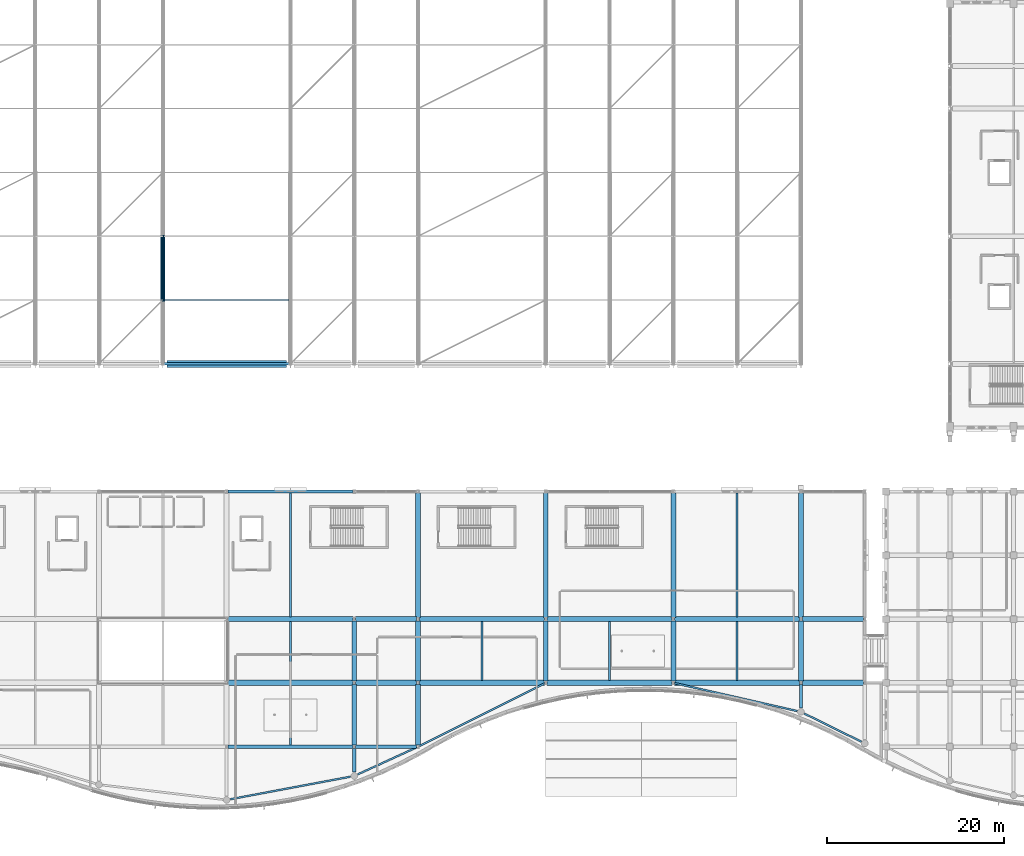
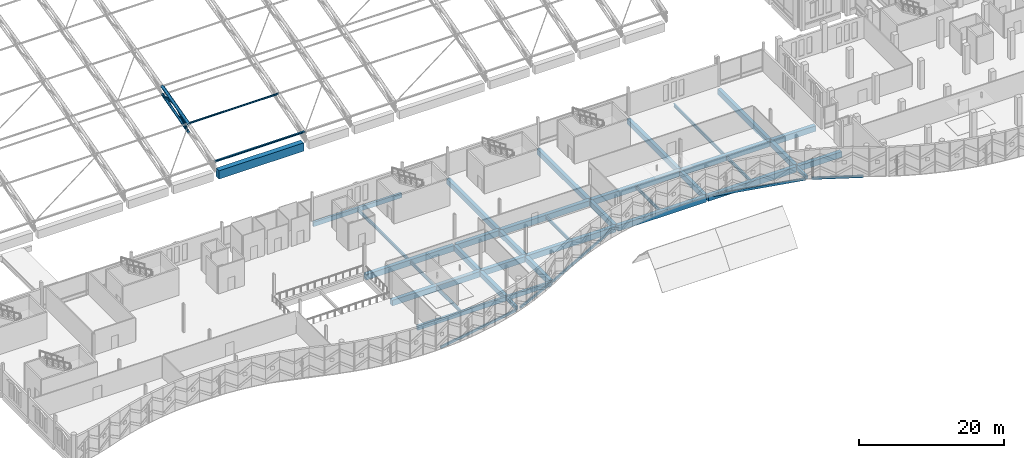
# One storey, part 29 of 193: 41 beams, 6 members.
"""IFC4 building model written with IfcOpenShell, lengths in metres."""

from ifc_helpers import new_model, si_unit, direction, frame, origin, origin_2d, place, context, subcontext, project, spatial, rectangle, hollow_rectangle, hollow_circle, i_section, extrude, material, material_profile, profile_set, type_object, element, save


model = new_model("IFC4")

# Units and contexts
model_context = context("Model", 3, precision=1e-05, world=origin(), true_north=direction((0.0, 1.0)))
body_context = subcontext(model_context, "Body", "Model", "MODEL_VIEW")
ifc_project = project(units=[si_unit("LENGTHUNIT", "METRE"), si_unit("AREAUNIT", "SQUARE_METRE"), si_unit("VOLUMEUNIT", "CUBIC_METRE"), si_unit("PLANEANGLEUNIT", "RADIAN"), si_unit("MASSUNIT", "GRAM", prefix="KILO")], contexts=[model_context])

# Site, building, storey
site_placement = place(None, origin())
site = spatial("IfcSite", under=ifc_project, at=site_placement, CompositionType="ELEMENT")
building_placement = place(site_placement, origin())
building = spatial("IfcBuilding", under=site, at=building_placement, Name="Cendralis Lancet Convention Centre", CompositionType="ELEMENT")
storey_placement = place(building_placement, frame((0.0, 0.0, 10.199951171875)))
storey = spatial("IfcBuildingStorey", under=building, at=storey_placement, Name="L02", CompositionType="ELEMENT", Elevation=10.199951171875)

# Beams
ifc_material_1 = material(Name="Concrete G40 (C40/50)", Category="concrete")
ifc_material_profile_1 = material_profile(ifc_material_1, rectangle(XDim=0.60009765625, YDim=0.949951171875, at=origin_2d()), Name="RCB 600x950")
ifc_profile_set_1 = profile_set([ifc_material_profile_1], Name="Concrete G40 (C40/50)")
beam_type_1 = type_object("IfcBeamType", Name="STR-BM-BG04", PredefinedType="BEAM", material=ifc_profile_set_1)
beam_1_placement = place(storey_placement, frame((57.75, 14.39990234375, -0.77490234375), z_axis=(1.0, 0.0, 0.0), x_axis=(0.0, 1.0, 0.0)))
element("IfcBeam", 1, at=beam_1_placement, inside=storey, type_object=beam_type_1, Name="L02 Beam BG04 #0826", PredefinedType="BEAM", context=body_context, shape_type="SweptSolid", body=[
    extrude(rectangle(XDim=0.60009765625, YDim=0.949951171875, at=origin_2d()), origin(), (0.0, 0.0, 1.0), 14.10009765625),
])
beam_2_placement = place(storey_placement, frame((72.14990234375, 14.39990234375, -0.77490234375), z_axis=(1.0, 0.0, 0.0), x_axis=(0.0, 1.0, 0.0)))
element("IfcBeam", 2, at=beam_2_placement, inside=storey, type_object=beam_type_1, Name="L02 Beam BG04 #0827", PredefinedType="BEAM", context=body_context, shape_type="SweptSolid", body=[
    extrude(rectangle(XDim=0.60009765625, YDim=0.949951171875, at=origin_2d()), origin(), (0.0, 0.0, 1.0), 6.900146484375),
])
beam_3_placement = place(storey_placement, frame((79.35009765625, 14.39990234375, -0.77490234375), z_axis=(1.0, 0.0, 0.0), x_axis=(0.0, 1.0, 0.0)))
element("IfcBeam", 3, at=beam_3_placement, inside=storey, type_object=beam_type_1, Name="L02 Beam BG04 #0828", PredefinedType="BEAM", context=body_context, shape_type="SweptSolid", body=[
    extrude(rectangle(XDim=0.60009765625, YDim=0.949951171875, at=origin_2d()), origin(), (0.0, 0.0, 1.0), 14.099853515625),
])
for number, where, z_axis, x_axis, name in (
    (4, (93.75, 14.39990234375, -0.77490234375), (1.0, 0.0, 0.0), (0.0, 1.0, 0.0), "L02 Beam BG04 #0829"),
    (5, (108.14990234375, 14.39990234375, -0.77490234375), (1.0, 0.0, 0.0), (0.0, 1.0, 0.0), "L02 Beam BG04 #0830"),
):
    element("IfcBeam", number, at=place(storey_placement, frame(where, z_axis=z_axis, x_axis=x_axis)), inside=storey, type_object=beam_type_1, Name=name, PredefinedType="BEAM", context=body_context, shape_type="SweptSolid", body=[
        extrude(rectangle(XDim=0.60009765625, YDim=0.949951171875, at=origin_2d()), origin(), (0.0, 0.0, 1.0), 14.10009765625),
    ])
beam_4_placement = place(storey_placement, frame((122.550048828125, 14.39990234375, -0.77490234375), z_axis=(1.0, 0.0, 0.0), x_axis=(0.0, 1.0, 0.0)))
element("IfcBeam", 6, at=beam_4_placement, inside=storey, type_object=beam_type_1, Name="L02 Beam BG04 #0831", PredefinedType="BEAM", context=body_context, shape_type="SweptSolid", body=[
    extrude(rectangle(XDim=0.60009765625, YDim=0.949951171875, at=origin_2d()), origin(), (0.0, 0.0, 1.0), 6.89990234375),
])
beam_5_placement = place(storey_placement, frame((57.75, 21.60009765625, -0.77490234375), z_axis=(1.0, 0.0, 0.0), x_axis=(0.0, 1.0, 0.0)))
element("IfcBeam", 7, at=beam_5_placement, inside=storey, type_object=beam_type_1, Name="L02 Beam BG04 #0836", PredefinedType="BEAM", context=body_context, shape_type="SweptSolid", body=[
    extrude(rectangle(XDim=0.60009765625, YDim=0.949951171875, at=origin_2d()), origin(), (0.0, 0.0, 1.0), 14.10009765625),
])
beam_6_placement = place(storey_placement, frame((72.14990234375, 21.60009765625, -0.77490234375), z_axis=(1.0, 0.0, 0.0), x_axis=(0.0, 1.0, 0.0)))
element("IfcBeam", 8, at=beam_6_placement, inside=storey, type_object=beam_type_1, Name="L02 Beam BG04 #0837", PredefinedType="BEAM", context=body_context, shape_type="SweptSolid", body=[
    extrude(rectangle(XDim=0.60009765625, YDim=0.949951171875, at=origin_2d()), origin(), (0.0, 0.0, 1.0), 6.900146484375),
])
beam_7_placement = place(storey_placement, frame((79.35009765625, 21.60009765625, -0.77490234375), z_axis=(1.0, 0.0, 0.0), x_axis=(0.0, 1.0, 0.0)))
element("IfcBeam", 9, at=beam_7_placement, inside=storey, type_object=beam_type_1, Name="L02 Beam BG04 #0838", PredefinedType="BEAM", context=body_context, shape_type="SweptSolid", body=[
    extrude(rectangle(XDim=0.60009765625, YDim=0.949951171875, at=origin_2d()), origin(), (0.0, 0.0, 1.0), 14.099853515625),
])
for number, where, z_axis, x_axis, name in (
    (10, (93.75, 21.60009765625, -0.77490234375), (1.0, 0.0, 0.0), (0.0, 1.0, 0.0), "L02 Beam BG04 #0839"),
    (11, (108.14990234375, 21.60009765625, -0.77490234375), (1.0, 0.0, 0.0), (0.0, 1.0, 0.0), "L02 Beam BG04 #0840"),
):
    element("IfcBeam", number, at=place(storey_placement, frame(where, z_axis=z_axis, x_axis=x_axis)), inside=storey, type_object=beam_type_1, Name=name, PredefinedType="BEAM", context=body_context, shape_type="SweptSolid", body=[
        extrude(rectangle(XDim=0.60009765625, YDim=0.949951171875, at=origin_2d()), origin(), (0.0, 0.0, 1.0), 14.10009765625),
    ])
beam_8_placement = place(storey_placement, frame((122.550048828125, 21.60009765625, -0.77490234375), z_axis=(1.0, 0.0, 0.0), x_axis=(0.0, 1.0, 0.0)))
element("IfcBeam", 12, at=beam_8_placement, inside=storey, type_object=beam_type_1, Name="L02 Beam BG04 #0841", PredefinedType="BEAM", context=body_context, shape_type="SweptSolid", body=[
    extrude(rectangle(XDim=0.60009765625, YDim=0.949951171875, at=origin_2d()), origin(), (0.0, 0.0, 1.0), 6.89990234375),
])
ifc_material_profile_2 = material_profile(ifc_material_1, rectangle(XDim=0.550048828125, YDim=0.89990234375, at=origin_2d()), Name="RCB 550x900")
ifc_profile_set_2 = profile_set([ifc_material_profile_2], Name="Concrete G40 (C40/50)")
beam_type_2 = type_object("IfcBeamType", Name="STR-BM-BG06", PredefinedType="BEAM", material=ifc_profile_set_2)
beam_9_placement = place(storey_placement, frame((72.0, 7.39990234375, -0.75), z_axis=(0.0, 1.0, 0.0), x_axis=(-1.0, 0.0, 0.0)))
element("IfcBeam", 13, at=beam_9_placement, inside=storey, type_object=beam_type_2, Name="L02 Beam BG06 #0866", PredefinedType="BEAM", context=body_context, shape_type="SweptSolid", body=[
    extrude(rectangle(XDim=0.550048828125, YDim=0.89990234375, at=origin_2d()), origin(), (0.0, 0.0, 1.0), 6.800048828125),
])
beam_10_placement = place(storey_placement, frame((72.0, 14.60009765625, -0.75), z_axis=(0.0, 1.0, 0.0), x_axis=(-1.0, 0.0, 0.0)))
element("IfcBeam", 14, at=beam_10_placement, inside=storey, type_object=beam_type_2, Name="L02 Beam BG06 #0867", PredefinedType="BEAM", context=body_context, shape_type="SweptSolid", body=[
    extrude(rectangle(XDim=0.550048828125, YDim=0.89990234375, at=origin_2d()), origin(), (0.0, 0.0, 1.0), 6.7998046875),
])
beam_11_placement = place(storey_placement, frame((79.199951171875, 7.39990234375, -0.75), z_axis=(0.0, 1.0, 0.0), x_axis=(-1.0, 0.0, 0.0)))
element("IfcBeam", 15, at=beam_11_placement, inside=storey, type_object=beam_type_2, Name="L02 Beam BG06 #0868", PredefinedType="BEAM", context=body_context, shape_type="SweptSolid", body=[
    extrude(rectangle(XDim=0.550048828125, YDim=0.89990234375, at=origin_2d()), origin(), (0.0, 0.0, 1.0), 6.800048828125),
])
beam_12_placement = place(storey_placement, frame((79.199951171875, 14.60009765625, -0.75), z_axis=(0.0, 1.0, 0.0), x_axis=(-1.0, 0.0, 0.0)))
element("IfcBeam", 16, at=beam_12_placement, inside=storey, type_object=beam_type_2, Name="L02 Beam BG06 #0869", PredefinedType="BEAM", context=body_context, shape_type="SweptSolid", body=[
    extrude(rectangle(XDim=0.550048828125, YDim=0.89990234375, at=origin_2d()), origin(), (0.0, 0.0, 1.0), 6.7998046875),
])
beam_13_placement = place(storey_placement, frame((79.199951171875, 21.800048828125, -0.75), z_axis=(0.0, 1.0, 0.0), x_axis=(-1.0, 0.0, 0.0)))
element("IfcBeam", 17, at=beam_13_placement, inside=storey, type_object=beam_type_2, Name="L02 Beam BG06 #0870", PredefinedType="BEAM", context=body_context, shape_type="SweptSolid", body=[
    extrude(rectangle(XDim=0.550048828125, YDim=0.89990234375, at=origin_2d()), origin(), (0.0, 0.0, 1.0), 14.0),
])
beam_14_placement = place(storey_placement, frame((93.60009765625, 14.60009765625, -0.75), z_axis=(0.0, 1.0, 0.0), x_axis=(-1.0, 0.0, 0.0)))
element("IfcBeam", 18, at=beam_14_placement, inside=storey, type_object=beam_type_2, Name="L02 Beam BG06 #0871", PredefinedType="BEAM", context=body_context, shape_type="SweptSolid", body=[
    extrude(rectangle(XDim=0.550048828125, YDim=0.89990234375, at=origin_2d()), origin(), (0.0, 0.0, 1.0), 6.7998046875),
])
beam_15_placement = place(storey_placement, frame((93.60009765625, 21.800048828125, -0.75), z_axis=(0.0, 1.0, 0.0), x_axis=(-1.0, 0.0, 0.0)))
element("IfcBeam", 19, at=beam_15_placement, inside=storey, type_object=beam_type_2, Name="L02 Beam BG06 #0872", PredefinedType="BEAM", context=body_context, shape_type="SweptSolid", body=[
    extrude(rectangle(XDim=0.550048828125, YDim=0.89990234375, at=origin_2d()), origin(), (0.0, 0.0, 1.0), 14.0),
])
beam_16_placement = place(storey_placement, frame((108.0, 14.60009765625, -0.75), z_axis=(0.0, 1.0, 0.0), x_axis=(-1.0, 0.0, 0.0)))
element("IfcBeam", 20, at=beam_16_placement, inside=storey, type_object=beam_type_2, Name="L02 Beam BG06 #0873", PredefinedType="BEAM", context=body_context, shape_type="SweptSolid", body=[
    extrude(rectangle(XDim=0.550048828125, YDim=0.89990234375, at=origin_2d()), origin(), (0.0, 0.0, 1.0), 6.7998046875),
])
beam_17_placement = place(storey_placement, frame((108.0, 21.800048828125, -0.75), z_axis=(0.0, 1.0, 0.0), x_axis=(-1.0, 0.0, 0.0)))
element("IfcBeam", 21, at=beam_17_placement, inside=storey, type_object=beam_type_2, Name="L02 Beam BG06 #0874", PredefinedType="BEAM", context=body_context, shape_type="SweptSolid", body=[
    extrude(rectangle(XDim=0.550048828125, YDim=0.89990234375, at=origin_2d()), origin(), (0.0, 0.0, 1.0), 14.0),
])
beam_18_placement = place(storey_placement, frame((122.39990234375, 14.60009765625, -0.75), z_axis=(0.0, 1.0, 0.0), x_axis=(-1.0, 0.0, 0.0)))
element("IfcBeam", 22, at=beam_18_placement, inside=storey, type_object=beam_type_2, Name="L02 Beam BG06 #0875", PredefinedType="BEAM", context=body_context, shape_type="SweptSolid", body=[
    extrude(rectangle(XDim=0.550048828125, YDim=0.89990234375, at=origin_2d()), origin(), (0.0, 0.0, 1.0), 6.7998046875),
])
beam_19_placement = place(storey_placement, frame((122.39990234375, 21.800048828125, -0.75), z_axis=(0.0, 1.0, 0.0), x_axis=(-1.0, 0.0, 0.0)))
element("IfcBeam", 23, at=beam_19_placement, inside=storey, type_object=beam_type_2, Name="L02 Beam BG06 #0876", PredefinedType="BEAM", context=body_context, shape_type="SweptSolid", body=[
    extrude(rectangle(XDim=0.550048828125, YDim=0.89990234375, at=origin_2d()), origin(), (0.0, 0.0, 1.0), 14.0),
])
ifc_material_2 = material(Name="Concrete G35 (C35/45)", Category="concrete")
ifc_material_profile_3 = material_profile(ifc_material_2, rectangle(XDim=0.35009765625, YDim=0.60009765625, at=origin_2d()), Name="RCB 350x600")
ifc_profile_set_3 = profile_set([ifc_material_profile_3], Name="Concrete G35 (C35/45)")
beam_type_3 = type_object("IfcBeamType", Name="STR-BM-BG16", PredefinedType="BEAM", material=ifc_profile_set_3)
beam_20_placement = place(storey_placement, frame((72.0, 4.322998046875, -0.599853515625), z_axis=(0.0, 1.0, 0.0), x_axis=(-1.0, 0.0, 0.0)))
element("IfcBeam", 24, at=beam_20_placement, inside=storey, type_object=beam_type_3, Name="L02 Beam BG16 #1077", PredefinedType="BEAM", context=body_context, shape_type="SweptSolid", body=[
    extrude(rectangle(XDim=0.35009765625, YDim=0.60009765625, at=origin_2d()), origin(), (0.0, 0.0, 1.0), 2.677001953125),
])
beam_21_placement = place(storey_placement, frame((122.39990234375, 11.552001953125, -0.599853515625), z_axis=(0.0, 1.0, 0.0), x_axis=(-1.0, 0.0, 0.0)))
element("IfcBeam", 25, at=beam_21_placement, inside=storey, type_object=beam_type_3, Name="L02 Beam BG16 #1078", PredefinedType="BEAM", context=body_context, shape_type="SweptSolid", body=[
    extrude(rectangle(XDim=0.35009765625, YDim=0.60009765625, at=origin_2d()), origin(), (0.0, 0.0, 1.0), 2.64794921875),
])
ifc_material_profile_4 = material_profile(ifc_material_1, rectangle(XDim=0.800048828125, YDim=1.39990234375, at=origin_2d()), Name="RCB 800x1400")
ifc_profile_set_4 = profile_set([ifc_material_profile_4], Name="Concrete G40 (C40/50)")
beam_type_4 = type_object("IfcBeamType", Name="STR-BM-BG17", PredefinedType="BEAM", material=ifc_profile_set_4)
beam_22_placement = place(storey_placement, frame((50.85009765625, 50.39990234375, 1.5), z_axis=(1.0, 0.0, 0.0), x_axis=(0.0, 1.0, 0.0)))
element("IfcBeam", 26, at=beam_22_placement, inside=storey, type_object=beam_type_4, Name="L02 Beam BG17 #1315", PredefinedType="BEAM", context=body_context, shape_type="SweptSolid", body=[
    extrude(rectangle(XDim=0.800048828125, YDim=1.39990234375, at=origin_2d()), origin(), (0.0, 0.0, 1.0), 13.52490234375),
])
ifc_material_3 = material(Name="Steel S355", Category="steel")
ifc_material_profile_5 = material_profile(ifc_material_3, i_section(OverallWidth=0.2099609375, OverallDepth=0.550048828125, WebThickness=0.010986328125, FlangeThickness=0.01708984375, FilletRadius=0.02392578125, at=origin_2d()), Name="IPE 550")
ifc_profile_set_5 = profile_set([ifc_material_profile_5], Name="Steel S355")
beam_type_5 = type_object("IfcBeamType", Name="STR-JS-BJ05", PredefinedType="JOIST", material=ifc_profile_set_5)
beam_23_placement = place(storey_placement, frame((64.800048828125, 7.375, -0.574951171875), z_axis=(0.0, 1.0, 0.0), x_axis=(-1.0, 0.0, 0.0)))
element("IfcBeam", 27, at=beam_23_placement, inside=storey, type_object=beam_type_5, Name="L02 Beam BJ05 #0889", PredefinedType="JOIST", context=body_context, shape_type="SweptSolid", body=[
    extrude(i_section(OverallWidth=0.2099609375, OverallDepth=0.550048828125, WebThickness=0.010986328125, FlangeThickness=0.01708984375, FilletRadius=0.02392578125, at=origin_2d()), origin(), (0.0, 0.0, 1.0), 6.77490234375),
])
beam_24_placement = place(storey_placement, frame((64.800048828125, 14.64990234375, -0.574951171875), z_axis=(0.0, 1.0, 0.0), x_axis=(-1.0, 0.0, 0.0)))
element("IfcBeam", 28, at=beam_24_placement, inside=storey, type_object=beam_type_5, Name="L02 Beam BJ05 #0890", PredefinedType="JOIST", context=body_context, shape_type="SweptSolid", body=[
    extrude(i_section(OverallWidth=0.2099609375, OverallDepth=0.550048828125, WebThickness=0.010986328125, FlangeThickness=0.01708984375, FilletRadius=0.02392578125, at=origin_2d()), origin(), (0.0, 0.0, 1.0), 6.7001953125),
])
beam_25_placement = place(storey_placement, frame((64.800048828125, 21.85009765625, -0.574951171875), z_axis=(0.0, 1.0, 0.0), x_axis=(-1.0, 0.0, 0.0)))
element("IfcBeam", 29, at=beam_25_placement, inside=storey, type_object=beam_type_5, Name="L02 Beam BJ05 #0891", PredefinedType="JOIST", context=body_context, shape_type="SweptSolid", body=[
    extrude(i_section(OverallWidth=0.2099609375, OverallDepth=0.550048828125, WebThickness=0.010986328125, FlangeThickness=0.01708984375, FilletRadius=0.02392578125, at=origin_2d()), origin(), (0.0, 0.0, 1.0), 13.974853515625),
])
for number, where, z_axis, x_axis, name in (
    (30, (86.39990234375, 14.64990234375, -0.574951171875), (0.0, 1.0, 0.0), (-1.0, 0.0, 0.0), "L02 Beam BJ05 #0892"),
    (31, (100.800048828125, 14.64990234375, -0.574951171875), (0.0, 1.0, 0.0), (-1.0, 0.0, 0.0), "L02 Beam BJ05 #0893"),
    (32, (115.199951171875, 14.64990234375, -0.574951171875), (0.0, 1.0, 0.0), (-1.0, 0.0, 0.0), "L02 Beam BJ05 #0894"),
):
    element("IfcBeam", number, at=place(storey_placement, frame(where, z_axis=z_axis, x_axis=x_axis)), inside=storey, type_object=beam_type_5, Name=name, PredefinedType="JOIST", context=body_context, shape_type="SweptSolid", body=[
        extrude(i_section(OverallWidth=0.2099609375, OverallDepth=0.550048828125, WebThickness=0.010986328125, FlangeThickness=0.01708984375, FilletRadius=0.02392578125, at=origin_2d()), origin(), (0.0, 0.0, 1.0), 6.7001953125),
    ])
beam_26_placement = place(storey_placement, frame((115.199951171875, 21.85009765625, -0.574951171875), z_axis=(0.0, 1.0, 0.0), x_axis=(-1.0, 0.0, 0.0)))
element("IfcBeam", 33, at=beam_26_placement, inside=storey, type_object=beam_type_5, Name="L02 Beam BJ05 #0895", PredefinedType="JOIST", context=body_context, shape_type="SweptSolid", body=[
    extrude(i_section(OverallWidth=0.2099609375, OverallDepth=0.550048828125, WebThickness=0.010986328125, FlangeThickness=0.01708984375, FilletRadius=0.02392578125, at=origin_2d()), origin(), (0.0, 0.0, 1.0), 13.974853515625),
])

# Members
ifc_material_profile_6 = material_profile(ifc_material_3, i_section(OverallWidth=0.135009765625, OverallDepth=0.27001953125, WebThickness=0.006591796875, FlangeThickness=0.01025390625, FilletRadius=0.014892578125, at=origin_2d()), Name="IPE 270")
ifc_profile_set_6 = profile_set([ifc_material_profile_6], Name="Steel S355")
member_type_1 = type_object("IfcMemberType", Name="STR-PR-PR01", PredefinedType="PURLIN", material=ifc_profile_set_6)
member_1_placement = place(storey_placement, frame((50.39990234375, 57.60009765625, 5.771728515625), z_axis=(1.0, 0.0, 0.0), x_axis=(0.0, 1.0, 0.0)))
element("IfcMember", 34, at=member_1_placement, inside=storey, type_object=member_type_1, Name="Vault Roof Purlin PR01 V1-06-01", PredefinedType="PURLIN", context=body_context, shape_type="SweptSolid", body=[
    extrude(i_section(OverallWidth=0.135009765625, OverallDepth=0.27001953125, WebThickness=0.006591796875, FlangeThickness=0.01025390625, FilletRadius=0.014892578125, at=origin_2d()), origin(), (0.0, 0.0, 1.0), 14.400146484375),
])
ifc_material_profile_7 = material_profile(ifc_material_3, i_section(OverallWidth=0.260009765625, OverallDepth=0.25, WebThickness=0.007568359375, FlangeThickness=0.012451171875, FilletRadius=0.02392578125, at=origin_2d()), Name="HEA 260")
ifc_profile_set_7 = profile_set([ifc_material_profile_7], Name="Steel S355")
member_type_2 = type_object("IfcMemberType", Name="STR-PR-PR07", PredefinedType="PURLIN", material=ifc_profile_set_7)
member_2_placement = place(storey_placement, frame((50.39990234375, 50.39990234375, 3.72509765625), z_axis=(1.0, 0.0, 0.0), x_axis=(0.0, 1.0, 0.0)))
element("IfcMember", 35, at=member_2_placement, inside=storey, type_object=member_type_2, Name="Vault Roof Purlin PR07 V1-06-00", PredefinedType="PURLIN", context=body_context, shape_type="SweptSolid", body=[
    extrude(i_section(OverallWidth=0.260009765625, OverallDepth=0.25, WebThickness=0.007568359375, FlangeThickness=0.012451171875, FilletRadius=0.02392578125, at=origin_2d()), origin(), (0.0, 0.0, 1.0), 14.400146484375),
])

# Beams
ifc_material_profile_8 = material_profile(ifc_material_1, rectangle(XDim=0.35009765625, YDim=0.75, at=origin_2d()), Name="RCB 350x750")
ifc_profile_set_8 = profile_set([ifc_material_profile_8], Name="Concrete G40 (C40/50)")
beam_type_6 = type_object("IfcBeamType", Name="STR-SP-SP01", PredefinedType="SPANDREL", material=ifc_profile_set_8)
beam_27_placement = place(storey_placement, frame((57.75, 7.199951171875, -0.675048828125), z_axis=(1.0, 0.0, 0.0), x_axis=(0.0, 1.0, 0.0)))
element("IfcBeam", 36, at=beam_27_placement, inside=storey, type_object=beam_type_6, Name="L02 Beam SP01 #0820", PredefinedType="SPANDREL", context=body_context, shape_type="SweptSolid", body=[
    extrude(rectangle(XDim=0.35009765625, YDim=0.75, at=origin_2d()), origin(), (0.0, 0.0, 1.0), 14.10009765625),
])
beam_28_placement = place(storey_placement, frame((72.14990234375, 7.199951171875, -0.675048828125), z_axis=(1.0, 0.0, 0.0), x_axis=(0.0, 1.0, 0.0)))
element("IfcBeam", 37, at=beam_28_placement, inside=storey, type_object=beam_type_6, Name="L02 Beam SP01 #0821", PredefinedType="SPANDREL", context=body_context, shape_type="SweptSolid", body=[
    extrude(rectangle(XDim=0.35009765625, YDim=0.75, at=origin_2d()), origin(), (0.0, 0.0, 1.0), 6.900146484375),
])
beam_29_placement = place(storey_placement, frame((57.75, 36.0, -0.675048828125), z_axis=(1.0, 0.0, 0.0), x_axis=(0.0, 1.0, 0.0)))
element("IfcBeam", 38, at=beam_29_placement, inside=storey, type_object=beam_type_6, Name="L02 Beam SP01 #0846", PredefinedType="SPANDREL", context=body_context, shape_type="SweptSolid", body=[
    extrude(rectangle(XDim=0.35009765625, YDim=0.75, at=origin_2d()), origin(), (0.0, 0.0, 1.0), 14.10009765625),
])
ifc_material_profile_9 = material_profile(ifc_material_3, hollow_rectangle(XDim=0.199951171875, YDim=0.39990234375, WallThickness=0.01416015625, at=origin_2d()), Name="RHS 400x200x14.2")
ifc_profile_set_9 = profile_set([ifc_material_profile_9], Name="Steel S355")
beam_type_7 = type_object("IfcBeamType", Name="STR-SP-SP03", PredefinedType="SPANDREL", material=ifc_profile_set_9)
beam_30_placement = place(storey_placement, frame((58.017578125, 1.2734375, -0.5), z_axis=(0.98283592152, 0.184481845639, 0.0), x_axis=(-0.184481845639, 0.98283592152, 0.0)))
element("IfcBeam", 39, at=beam_30_placement, inside=storey, type_object=beam_type_7, Name="L02 Beam SP03 #1089", PredefinedType="SPANDREL", context=body_context, shape_type="SweptSolid", body=[
    extrude(hollow_rectangle(XDim=0.199951171875, YDim=0.39990234375, WallThickness=0.01416015625, at=origin_2d()), origin(), (0.0, 0.0, 1.0), 13.801513671875),
])
beam_31_placement = place(storey_placement, frame((72.38623046875, 4.0751953125, -0.5), z_axis=(0.908975113738, 0.416850383957, 0.0), x_axis=(-0.416850383957, 0.908975113738, 0.0)))
element("IfcBeam", 40, at=beam_31_placement, inside=storey, type_object=beam_type_7, Name="L02 Beam SP03 #1090", PredefinedType="SPANDREL", context=body_context, shape_type="SweptSolid", body=[
    extrude(hollow_rectangle(XDim=0.199951171875, YDim=0.39990234375, WallThickness=0.01416015625, at=origin_2d()), origin(), (0.0, 0.0, 1.0), 7.34619140625),
])
beam_32_placement = place(storey_placement, frame((79.334228515625, 7.26708984375, -0.5), z_axis=(0.894424100523, 0.4472197764, 0.0), x_axis=(-0.4472197764, 0.894424100523, 0.0)))
element("IfcBeam", 41, at=beam_32_placement, inside=storey, type_object=beam_type_7, Name="L02 Beam SP03 #1091", PredefinedType="SPANDREL", context=body_context, shape_type="SweptSolid", body=[
    extrude(hollow_rectangle(XDim=0.199951171875, YDim=0.39990234375, WallThickness=0.01416015625, at=origin_2d()), origin(), (0.0, 0.0, 1.0), 15.799560546875),
])
beam_33_placement = place(storey_placement, frame((108.146240234375, 14.36669921875, -0.5), z_axis=(0.975129814035, -0.221634486893, 0.0), x_axis=(0.221634486893, 0.975129814035, 0.0)))
element("IfcBeam", 42, at=beam_33_placement, inside=storey, type_object=beam_type_7, Name="L02 Beam SP03 #1092", PredefinedType="SPANDREL", context=body_context, shape_type="SweptSolid", body=[
    extrude(hollow_rectangle(XDim=0.199951171875, YDim=0.39990234375, WallThickness=0.01416015625, at=origin_2d()), origin(), (0.0, 0.0, 1.0), 14.1923828125),
])
beam_34_placement = place(storey_placement, frame((122.781005859375, 10.938720703125, -0.5), z_axis=(0.896714118856, -0.442610199887, 0.0), x_axis=(0.442610199887, 0.896714118856, 0.0)))
element("IfcBeam", 43, at=beam_34_placement, inside=storey, type_object=beam_type_7, Name="L02 Beam SP03 #1093", PredefinedType="SPANDREL", context=body_context, shape_type="SweptSolid", body=[
    extrude(hollow_rectangle(XDim=0.199951171875, YDim=0.39990234375, WallThickness=0.01416015625, at=origin_2d()), origin(), (0.0, 0.0, 1.0), 7.179443359375),
])

# Members
ifc_material_profile_10 = material_profile(ifc_material_3, hollow_circle(Radius=0.203125, WallThickness=0.01611328125, at=origin_2d()), Name="CHS 406.4x16.0")
ifc_profile_set_10 = profile_set([ifc_material_profile_10], Name="Steel S355")
member_type_3 = type_object("IfcMemberType", Name="STR-TR-BC01-INT", PredefinedType="CHORD", material=ifc_profile_set_10)
member_3_placement = place(storey_placement, frame((50.39990234375, 57.484130859375, 4.262451171875), z_axis=(0.0, 0.964987331955, 0.262296490953), x_axis=(-1.0, 0.0, 0.0)))
element("IfcMember", 44, at=member_3_placement, inside=storey, type_object=member_type_3, Name="ROOF TRUSS AT-V1-07 Bottom Chord 01", PredefinedType="CHORD", context=body_context, shape_type="SweptSolid", body=[
    extrude(hollow_circle(Radius=0.203125, WallThickness=0.01611328125, at=origin_2d()), origin(), (0.0, 0.0, 1.0), 7.701171875),
])
ifc_material_profile_11 = material_profile(ifc_material_3, hollow_circle(Radius=0.25390625, WallThickness=0.02001953125, at=origin_2d()), Name="CHS 508.0x20.0")
ifc_profile_set_11 = profile_set([ifc_material_profile_11], Name="Steel S355")
member_type_4 = type_object("IfcMemberType", Name="STR-TR-TC01-INT", PredefinedType="CHORD", material=ifc_profile_set_11)
member_4_placement = place(storey_placement, frame((50.39990234375, 57.484130859375, 5.625732421875), z_axis=(0.0, 0.966247582415, 0.257615235337), x_axis=(-1.0, 0.0, 0.0)))
element("IfcMember", 45, at=member_4_placement, inside=storey, type_object=member_type_4, Name="ROOF TRUSS AT-V1-07 Top Chord 01", PredefinedType="CHORD", context=body_context, shape_type="SweptSolid", body=[
    extrude(hollow_circle(Radius=0.25390625, WallThickness=0.02001953125, at=origin_2d()), origin(), (0.0, 0.0, 1.0), 7.69140625),
])
ifc_material_profile_12 = material_profile(ifc_material_3, hollow_circle(Radius=0.149169921875, WallThickness=0.012451171875, at=origin_2d()), Name="CHS 298.5x12.5")
ifc_profile_set_12 = profile_set([ifc_material_profile_12], Name="Steel S355")
member_type_5 = type_object("IfcMemberType", Name="STR-TR-WD01-INT", PredefinedType="BRACE", material=ifc_profile_set_12)
member_5_placement = place(storey_placement, frame((50.39990234375, 57.51611328125, 4.23974609375), z_axis=(0.0, 0.840291047389, 0.542135551018), x_axis=(-1.0, 0.0, 0.0)))
element("IfcMember", 46, at=member_5_placement, inside=storey, type_object=member_type_5, Name="ROOF TRUSS AT-V1-07 Warren Web 01-0", PredefinedType="BRACE", context=body_context, shape_type="SweptSolid", body=[
    extrude(hollow_circle(Radius=0.149169921875, WallThickness=0.012451171875, at=origin_2d()), origin(), (0.0, 0.0, 1.0), 4.48388671875),
])
member_6_placement = place(storey_placement, frame((50.39990234375, 61.1005859375, 6.626708984375), z_axis=(0.0, 0.99488409704, -0.101022935304), x_axis=(-1.0, 0.0, 0.0)))
element("IfcMember", 47, at=member_6_placement, inside=storey, type_object=member_type_5, Name="ROOF TRUSS AT-V1-07 Warren Web 01-1", PredefinedType="BRACE", context=body_context, shape_type="SweptSolid", body=[
    extrude(hollow_circle(Radius=0.149169921875, WallThickness=0.012451171875, at=origin_2d()), origin(), (0.0, 0.0, 1.0), 3.818359375),
])

save(model, "model.ifc")
